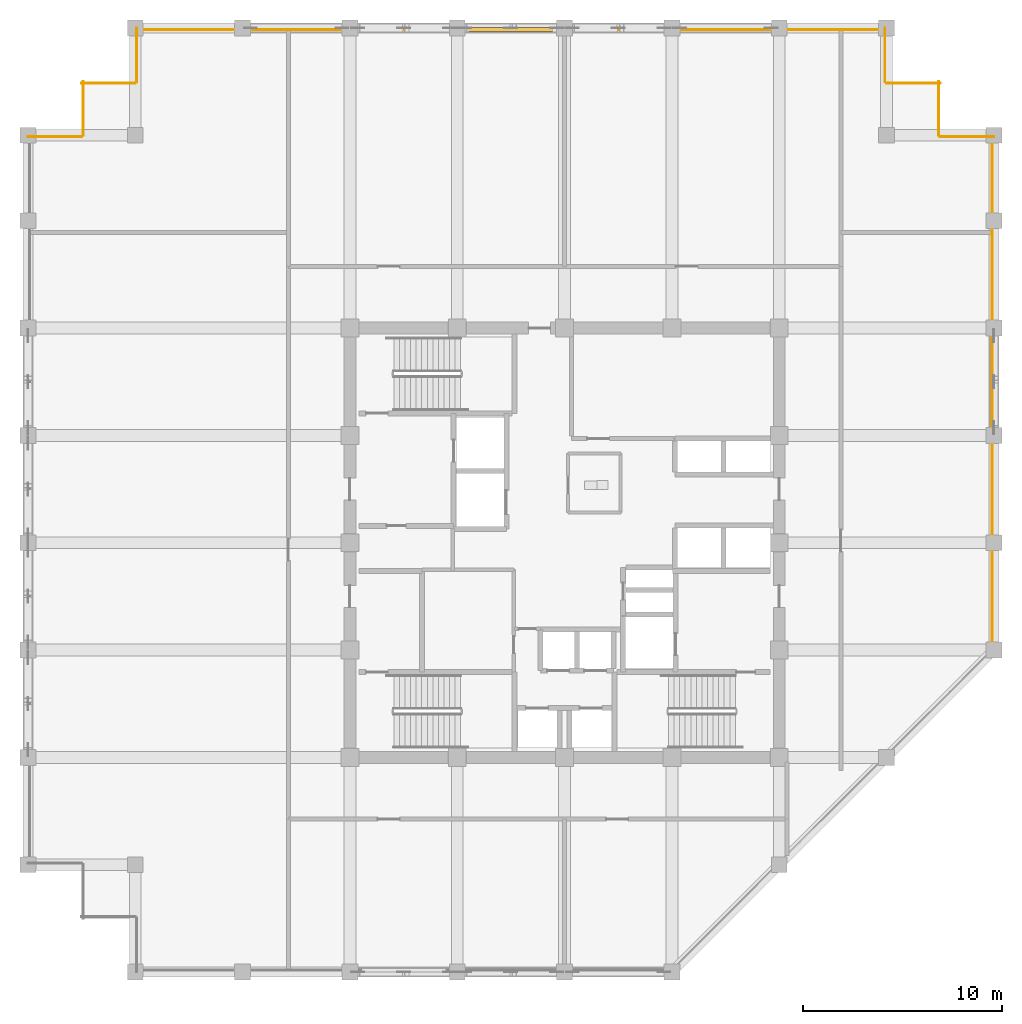
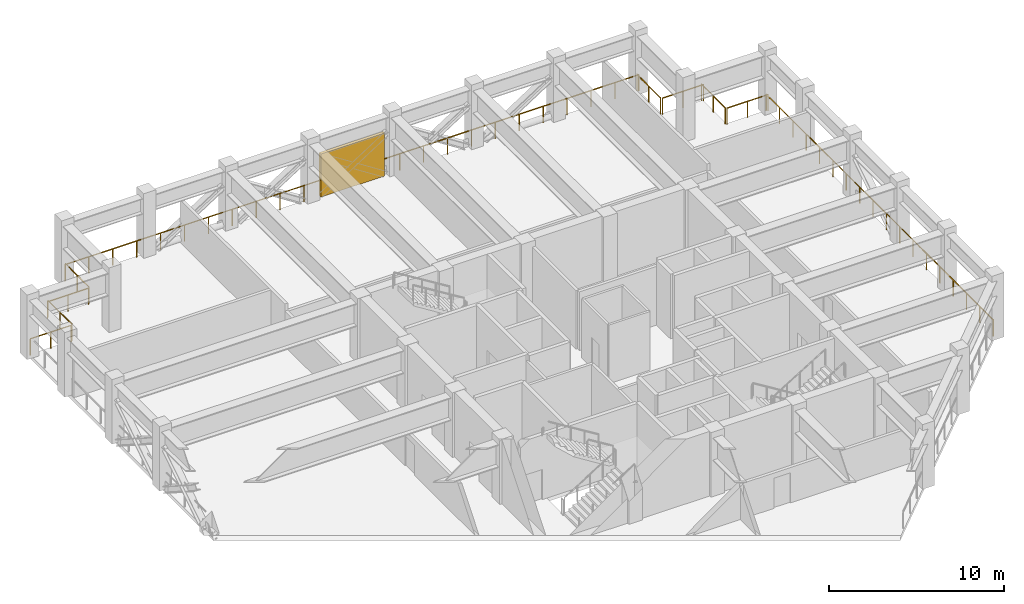
# One storey, part 10 of 11: 10 railings, 1 shading device.
"""IFC4 building model written with IfcOpenShell, lengths in metres."""

from ifc_helpers import new_model, si_unit, direction, frame, origin, origin_2d, place, context, subcontext, project, spatial, rectangle, circle, extrude, material, type_object, element, save


model = new_model("IFC4")

# Units and contexts
model_context = context("Model", 3, precision=1e-05, world=origin(), true_north=direction((0.0, 1.0)))
body_context = subcontext(model_context, "Body", "Model", "MODEL_VIEW")
ifc_project = project(units=[si_unit("LENGTHUNIT", "METRE"), si_unit("AREAUNIT", "SQUARE_METRE"), si_unit("VOLUMEUNIT", "CUBIC_METRE"), si_unit("PLANEANGLEUNIT", "RADIAN"), si_unit("MASSUNIT", "GRAM", prefix="KILO")], contexts=[model_context])

# Site, building, storey
site_placement = place(None, origin())
site = spatial("IfcSite", under=ifc_project, at=site_placement, CompositionType="ELEMENT")
building_placement = place(site_placement, origin())
building = spatial("IfcBuilding", under=site, at=building_placement, Name="Surkhivell Harbour Commons", CompositionType="ELEMENT")
storey_placement = place(building_placement, frame((0.0, 0.0, 254.25)))
storey = spatial("IfcBuildingStorey", under=building, at=storey_placement, Name="L66", CompositionType="ELEMENT", Elevation=254.25)

# Railings
ifc_material_1 = material(Name="Laminated safety glass and stainless steel S355 balustrade", Category="steel")
railing_type = type_object("IfcRailingType", Name="RAL-BAL-1150", PredefinedType="BALUSTRADE", material=ifc_material_1)
railing_1_placement = place(storey_placement, frame((21.52001953125, -5.39990234375, 0.0)))
element("IfcRailing", 1, at=railing_1_placement, inside=storey, type_object=railing_type, Name="L66 Perimeter Safety Guard 03", PredefinedType="BALUSTRADE", context=body_context, shape_type="SweptSolid", body=[
    extrude(circle(Radius=0.02392578125, at=origin_2d()), frame((0.0, 0.0, 1.1259765625), z_axis=(0.0, 1.0, 0.0), x_axis=(-1.0, 0.0, 0.0)), (0.0, 0.0, 1.0), 25.89990234375),
    extrude(circle(Radius=0.02099609375, at=origin_2d()), origin(), (0.0, 0.0, 1.0), 1.101806640625),
    extrude(circle(Radius=0.02099609375, at=origin_2d()), frame((0.0, 1.5234375, 0.0)), (0.0, 0.0, 1.0), 1.101806640625),
    extrude(circle(Radius=0.02099609375, at=origin_2d()), frame((0.0, 3.047119140625, 0.0)), (0.0, 0.0, 1.0), 1.101806640625),
    extrude(circle(Radius=0.02099609375, at=origin_2d()), frame((0.0, 4.570556640625, 0.0)), (0.0, 0.0, 1.0), 1.101806640625),
    extrude(circle(Radius=0.02099609375, at=origin_2d()), frame((0.0, 6.093994140625, 0.0)), (0.0, 0.0, 1.0), 1.101806640625),
    extrude(circle(Radius=0.02099609375, at=origin_2d()), frame((0.0, 7.61767578125, 0.0)), (0.0, 0.0, 1.0), 1.101806640625),
    extrude(circle(Radius=0.02099609375, at=origin_2d()), frame((0.0, 9.14111328125, 0.0)), (0.0, 0.0, 1.0), 1.101806640625),
    extrude(circle(Radius=0.02099609375, at=origin_2d()), frame((0.0, 10.66455078125, 0.0)), (0.0, 0.0, 1.0), 1.101806640625),
    extrude(circle(Radius=0.02099609375, at=origin_2d()), frame((0.0, 12.188232421875, 0.0)), (0.0, 0.0, 1.0), 1.101806640625),
    extrude(circle(Radius=0.02099609375, at=origin_2d()), frame((0.0, 13.711669921875, 0.0)), (0.0, 0.0, 1.0), 1.101806640625),
    extrude(circle(Radius=0.02099609375, at=origin_2d()), frame((0.0, 15.2353515625, 0.0)), (0.0, 0.0, 1.0), 1.101806640625),
    extrude(circle(Radius=0.02099609375, at=origin_2d()), frame((0.0, 16.7587890625, 0.0)), (0.0, 0.0, 1.0), 1.101806640625),
    extrude(circle(Radius=0.02099609375, at=origin_2d()), frame((0.0, 18.2822265625, 0.0)), (0.0, 0.0, 1.0), 1.101806640625),
    extrude(circle(Radius=0.02099609375, at=origin_2d()), frame((0.0, 19.805908203125, 0.0)), (0.0, 0.0, 1.0), 1.101806640625),
    extrude(circle(Radius=0.02099609375, at=origin_2d()), frame((0.0, 21.329345703125, 0.0)), (0.0, 0.0, 1.0), 1.101806640625),
    extrude(circle(Radius=0.02099609375, at=origin_2d()), frame((0.0, 22.852783203125, 0.0)), (0.0, 0.0, 1.0), 1.101806640625),
    extrude(circle(Radius=0.02099609375, at=origin_2d()), frame((0.0, 24.37646484375, 0.0)), (0.0, 0.0, 1.0), 1.101806640625),
    extrude(circle(Radius=0.02099609375, at=origin_2d()), frame((0.0, 25.89990234375, 0.0)), (0.0, 0.0, 1.0), 1.101806640625),
])
railing_2_placement = place(storey_placement, frame((21.60009765625, 20.419921875, 0.0)))
element("IfcRailing", 2, at=railing_2_placement, inside=storey, type_object=railing_type, Name="L66 Perimeter Safety Guard 04", PredefinedType="BALUSTRADE", context=body_context, shape_type="SweptSolid", body=[
    extrude(circle(Radius=0.02392578125, at=origin_2d()), frame((0.0, 0.0, 1.1259765625), z_axis=(-1.0, 0.0, 0.0), x_axis=(0.0, -1.0, 0.0)), (0.0, 0.0, 1.0), 2.7001953125),
    extrude(circle(Radius=0.02099609375, at=origin_2d()), origin(), (0.0, 0.0, 1.0), 1.101806640625),
    extrude(circle(Radius=0.02099609375, at=origin_2d()), frame((-1.35009765625, 0.0, 0.0)), (0.0, 0.0, 1.0), 1.101806640625),
    extrude(circle(Radius=0.02099609375, at=origin_2d()), frame((-2.7001953125, 0.0, 0.0)), (0.0, 0.0, 1.0), 1.101806640625),
])
railing_3_placement = place(storey_placement, frame((18.820068359375, 20.5, 0.0)))
element("IfcRailing", 3, at=railing_3_placement, inside=storey, type_object=railing_type, Name="L66 Perimeter Safety Guard 05", PredefinedType="BALUSTRADE", context=body_context, shape_type="SweptSolid", body=[
    extrude(circle(Radius=0.02392578125, at=origin_2d()), frame((0.0, 0.0, 1.1259765625), z_axis=(0.0, 1.0, 0.0), x_axis=(-1.0, 0.0, 0.0)), (0.0, 0.0, 1.0), 2.699951171875),
    extrude(circle(Radius=0.02099609375, at=origin_2d()), origin(), (0.0, 0.0, 1.0), 1.101806640625),
    extrude(circle(Radius=0.02099609375, at=origin_2d()), frame((0.0, 1.35009765625, 0.0)), (0.0, 0.0, 1.0), 1.101806640625),
    extrude(circle(Radius=0.02099609375, at=origin_2d()), frame((0.0, 2.699951171875, 0.0)), (0.0, 0.0, 1.0), 1.101806640625),
])
railing_4_placement = place(storey_placement, frame((18.89990234375, 23.1201171875, 0.0)))
element("IfcRailing", 4, at=railing_4_placement, inside=storey, type_object=railing_type, Name="L66 Perimeter Safety Guard 06", PredefinedType="BALUSTRADE", context=body_context, shape_type="SweptSolid", body=[
    extrude(circle(Radius=0.02392578125, at=origin_2d()), frame((0.0, 0.0, 1.1259765625), z_axis=(-1.0, 0.0, 0.0), x_axis=(0.0, -1.0, 0.0)), (0.0, 0.0, 1.0), 2.699951171875),
    extrude(circle(Radius=0.02099609375, at=origin_2d()), origin(), (0.0, 0.0, 1.0), 1.101806640625),
    extrude(circle(Radius=0.02099609375, at=origin_2d()), frame((-1.35009765625, 0.0, 0.0)), (0.0, 0.0, 1.0), 1.101806640625),
    extrude(circle(Radius=0.02099609375, at=origin_2d()), frame((-2.699951171875, 0.0, 0.0)), (0.0, 0.0, 1.0), 1.101806640625),
])
railing_5_placement = place(storey_placement, frame((16.1201171875, 23.199951171875, 0.0)))
element("IfcRailing", 5, at=railing_5_placement, inside=storey, type_object=railing_type, Name="L66 Perimeter Safety Guard 07", PredefinedType="BALUSTRADE", context=body_context, shape_type="SweptSolid", body=[
    extrude(circle(Radius=0.02392578125, at=origin_2d()), frame((0.0, 0.0, 1.1259765625), z_axis=(0.0, 1.0, 0.0), x_axis=(-1.0, 0.0, 0.0)), (0.0, 0.0, 1.0), 2.699951171875),
    extrude(circle(Radius=0.02099609375, at=origin_2d()), origin(), (0.0, 0.0, 1.0), 1.101806640625),
    extrude(circle(Radius=0.02099609375, at=origin_2d()), frame((0.0, 1.35009765625, 0.0)), (0.0, 0.0, 1.0), 1.101806640625),
    extrude(circle(Radius=0.02099609375, at=origin_2d()), frame((0.0, 2.699951171875, 0.0)), (0.0, 0.0, 1.0), 1.101806640625),
])
railing_6_placement = place(storey_placement, frame((16.199951171875, 25.820068359375, 0.0)))
element("IfcRailing", 6, at=railing_6_placement, inside=storey, type_object=railing_type, Name="L66 Perimeter Safety Guard 08", PredefinedType="BALUSTRADE", context=body_context, shape_type="SweptSolid", body=[
    extrude(circle(Radius=0.02392578125, at=origin_2d()), frame((0.0, 0.0, 1.1259765625), z_axis=(-1.0, 0.0, 0.0), x_axis=(0.0, -1.0, 0.0)), (0.0, 0.0, 1.0), 37.800048828125),
    extrude(circle(Radius=0.02099609375, at=origin_2d()), origin(), (0.0, 0.0, 1.0), 1.101806640625),
    extrude(circle(Radius=0.02099609375, at=origin_2d()), frame((-1.574951171875, 0.0, 0.0)), (0.0, 0.0, 1.0), 1.101806640625),
    extrude(circle(Radius=0.02099609375, at=origin_2d()), frame((-3.14990234375, 0.0, 0.0)), (0.0, 0.0, 1.0), 1.101806640625),
    extrude(circle(Radius=0.02099609375, at=origin_2d()), frame((-4.72509765625, 0.0, 0.0)), (0.0, 0.0, 1.0), 1.101806640625),
    extrude(circle(Radius=0.02099609375, at=origin_2d()), frame((-6.300048828125, 0.0, 0.0)), (0.0, 0.0, 1.0), 1.101806640625),
    extrude(circle(Radius=0.02099609375, at=origin_2d()), frame((-7.875, 0.0, 0.0)), (0.0, 0.0, 1.0), 1.101806640625),
    extrude(circle(Radius=0.02099609375, at=origin_2d()), frame((-9.449951171875, 0.0, 0.0)), (0.0, 0.0, 1.0), 1.101806640625),
    extrude(circle(Radius=0.02099609375, at=origin_2d()), frame((-11.02490234375, 0.0, 0.0)), (0.0, 0.0, 1.0), 1.101806640625),
    extrude(circle(Radius=0.02099609375, at=origin_2d()), frame((-12.60009765625, 0.0, 0.0)), (0.0, 0.0, 1.0), 1.101806640625),
    extrude(circle(Radius=0.02099609375, at=origin_2d()), frame((-14.175048828125, 0.0, 0.0)), (0.0, 0.0, 1.0), 1.101806640625),
    extrude(circle(Radius=0.02099609375, at=origin_2d()), frame((-15.75, 0.0, 0.0)), (0.0, 0.0, 1.0), 1.101806640625),
    extrude(circle(Radius=0.02099609375, at=origin_2d()), frame((-17.324951171875, 0.0, 0.0)), (0.0, 0.0, 1.0), 1.101806640625),
    extrude(circle(Radius=0.02099609375, at=origin_2d()), frame((-18.89990234375, 0.0, 0.0)), (0.0, 0.0, 1.0), 1.101806640625),
    extrude(circle(Radius=0.02099609375, at=origin_2d()), frame((-20.47509765625, 0.0, 0.0)), (0.0, 0.0, 1.0), 1.101806640625),
    extrude(circle(Radius=0.02099609375, at=origin_2d()), frame((-22.050048828125, 0.0, 0.0)), (0.0, 0.0, 1.0), 1.101806640625),
    extrude(circle(Radius=0.02099609375, at=origin_2d()), frame((-23.625, 0.0, 0.0)), (0.0, 0.0, 1.0), 1.101806640625),
    extrude(circle(Radius=0.02099609375, at=origin_2d()), frame((-25.199951171875, 0.0, 0.0)), (0.0, 0.0, 1.0), 1.101806640625),
    extrude(circle(Radius=0.02099609375, at=origin_2d()), frame((-26.775146484375, 0.0, 0.0)), (0.0, 0.0, 1.0), 1.101806640625),
    extrude(circle(Radius=0.02099609375, at=origin_2d()), frame((-28.35009765625, 0.0, 0.0)), (0.0, 0.0, 1.0), 1.101806640625),
    extrude(circle(Radius=0.02099609375, at=origin_2d()), frame((-29.925048828125, 0.0, 0.0)), (0.0, 0.0, 1.0), 1.101806640625),
    extrude(circle(Radius=0.02099609375, at=origin_2d()), frame((-31.5, 0.0, 0.0)), (0.0, 0.0, 1.0), 1.101806640625),
    extrude(circle(Radius=0.02099609375, at=origin_2d()), frame((-33.074951171875, 0.0, 0.0)), (0.0, 0.0, 1.0), 1.101806640625),
    extrude(circle(Radius=0.02099609375, at=origin_2d()), frame((-34.650146484375, 0.0, 0.0)), (0.0, 0.0, 1.0), 1.101806640625),
    extrude(circle(Radius=0.02099609375, at=origin_2d()), frame((-36.22509765625, 0.0, 0.0)), (0.0, 0.0, 1.0), 1.101806640625),
    extrude(circle(Radius=0.02099609375, at=origin_2d()), frame((-37.800048828125, 0.0, 0.0)), (0.0, 0.0, 1.0), 1.101806640625),
])
railing_7_placement = place(storey_placement, frame((-21.52001953125, 25.89990234375, 0.0)))
element("IfcRailing", 7, at=railing_7_placement, inside=storey, type_object=railing_type, Name="L66 Perimeter Safety Guard 09", PredefinedType="BALUSTRADE", context=body_context, shape_type="SweptSolid", body=[
    extrude(circle(Radius=0.02392578125, at=origin_2d()), frame((0.0, 0.0, 1.1259765625), z_axis=(0.0, -1.0, 0.0), x_axis=(1.0, 0.0, 0.0)), (0.0, 0.0, 1.0), 2.699951171875),
    extrude(circle(Radius=0.02099609375, at=origin_2d()), origin(), (0.0, 0.0, 1.0), 1.101806640625),
    extrude(circle(Radius=0.02099609375, at=origin_2d()), frame((0.0, -1.35009765625, 0.0)), (0.0, 0.0, 1.0), 1.101806640625),
    extrude(circle(Radius=0.02099609375, at=origin_2d()), frame((0.0, -2.699951171875, 0.0)), (0.0, 0.0, 1.0), 1.101806640625),
])
railing_8_placement = place(storey_placement, frame((-21.60009765625, 23.1201171875, 0.0)))
element("IfcRailing", 8, at=railing_8_placement, inside=storey, type_object=railing_type, Name="L66 Perimeter Safety Guard 10", PredefinedType="BALUSTRADE", context=body_context, shape_type="SweptSolid", body=[
    extrude(circle(Radius=0.02392578125, at=origin_2d()), frame((0.0, 0.0, 1.1259765625), z_axis=(-1.0, 0.0, 0.0), x_axis=(0.0, -1.0, 0.0)), (0.0, 0.0, 1.0), 2.699951171875),
    extrude(circle(Radius=0.02099609375, at=origin_2d()), origin(), (0.0, 0.0, 1.0), 1.101806640625),
    extrude(circle(Radius=0.02099609375, at=origin_2d()), frame((-1.35009765625, 0.0, 0.0)), (0.0, 0.0, 1.0), 1.101806640625),
    extrude(circle(Radius=0.02099609375, at=origin_2d()), frame((-2.699951171875, 0.0, 0.0)), (0.0, 0.0, 1.0), 1.101806640625),
])
railing_9_placement = place(storey_placement, frame((-24.219970703125, 23.199951171875, 0.0)))
element("IfcRailing", 9, at=railing_9_placement, inside=storey, type_object=railing_type, Name="L66 Perimeter Safety Guard 11", PredefinedType="BALUSTRADE", context=body_context, shape_type="SweptSolid", body=[
    extrude(circle(Radius=0.02392578125, at=origin_2d()), frame((0.0, 0.0, 1.1259765625), z_axis=(0.0, -1.0, 0.0), x_axis=(1.0, 0.0, 0.0)), (0.0, 0.0, 1.0), 2.699951171875),
    extrude(circle(Radius=0.02099609375, at=origin_2d()), origin(), (0.0, 0.0, 1.0), 1.101806640625),
    extrude(circle(Radius=0.02099609375, at=origin_2d()), frame((0.0, -1.35009765625, 0.0)), (0.0, 0.0, 1.0), 1.101806640625),
    extrude(circle(Radius=0.02099609375, at=origin_2d()), frame((0.0, -2.699951171875, 0.0)), (0.0, 0.0, 1.0), 1.101806640625),
])
railing_10_placement = place(storey_placement, frame((-24.300048828125, 20.419921875, 0.0)))
element("IfcRailing", 10, at=railing_10_placement, inside=storey, type_object=railing_type, Name="L66 Perimeter Safety Guard 12", PredefinedType="BALUSTRADE", context=body_context, shape_type="SweptSolid", body=[
    extrude(circle(Radius=0.02392578125, at=origin_2d()), frame((0.0, 0.0, 1.1259765625), z_axis=(-1.0, 0.0, 0.0), x_axis=(0.0, -1.0, 0.0)), (0.0, 0.0, 1.0), 2.699951171875),
    extrude(circle(Radius=0.02099609375, at=origin_2d()), origin(), (0.0, 0.0, 1.0), 1.101806640625),
    extrude(circle(Radius=0.02099609375, at=origin_2d()), frame((-1.35009765625, 0.0, 0.0)), (0.0, 0.0, 1.0), 1.101806640625),
    extrude(circle(Radius=0.02099609375, at=origin_2d()), frame((-2.699951171875, 0.0, 0.0)), (0.0, 0.0, 1.0), 1.101806640625),
])

# Shading device
ifc_material_2 = material(Name="Pale-metal acoustic weather louvre assembly", Category="aluminium")
shading_device_type = type_object("IfcShadingDeviceType", Name="SHD-LOUV-JAL", PredefinedType="JALOUSIE", material=ifc_material_2)
shading_device_placement = place(storey_placement, frame((-2.699951171875, 25.820068359375, 0.0), z_axis=(0.0, 0.0, 1.0), x_axis=(1.0, 0.0, 0.0)))
element("IfcShadingDevice", 11, at=shading_device_placement, inside=storey, type_object=shading_device_type, Name="L66 Plant Acoustic Louvre Screen LV-08", PredefinedType="JALOUSIE", context=body_context, shape_type="SweptSolid", body=[
    extrude(rectangle(XDim=4.199951171875, YDim=0.179931640625, at=origin_2d()), origin(), (0.0, 0.0, 1.0), 3.0),
])

save(model, "model.ifc")
